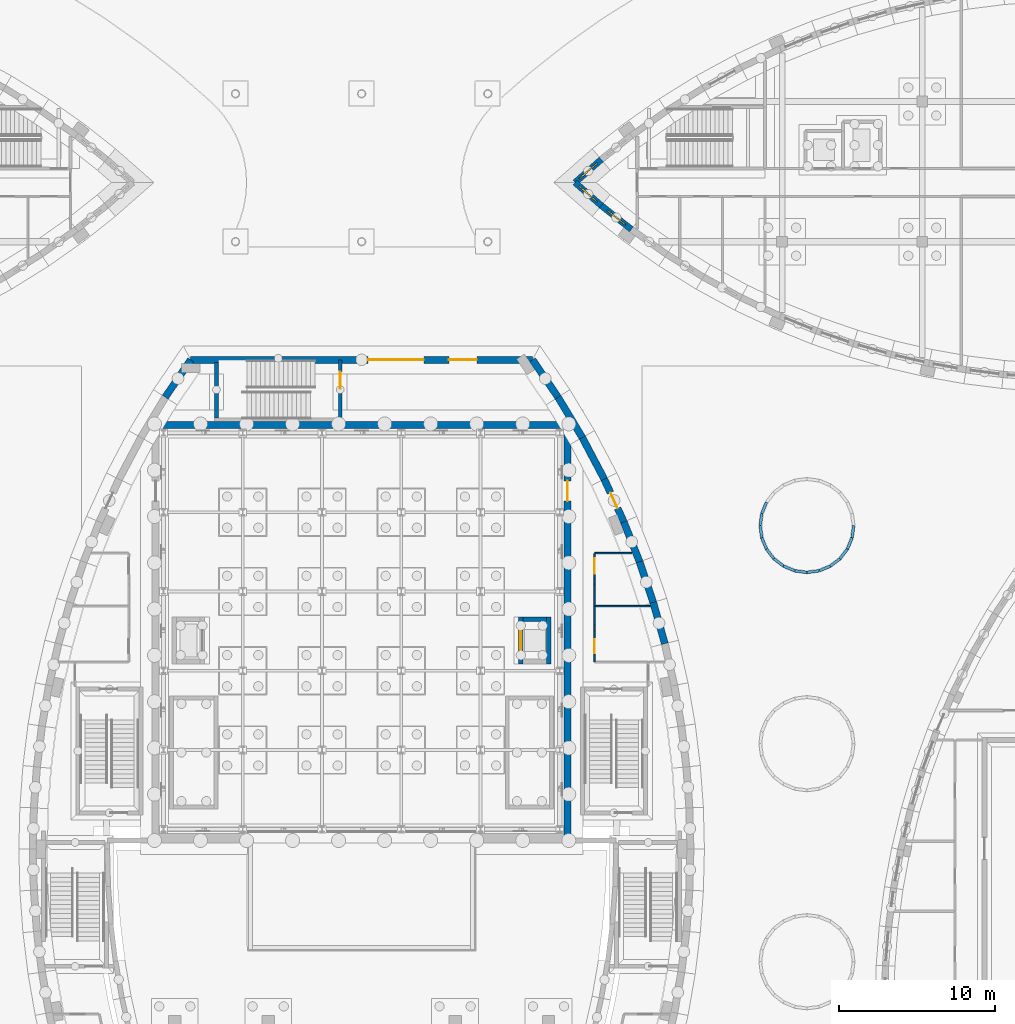
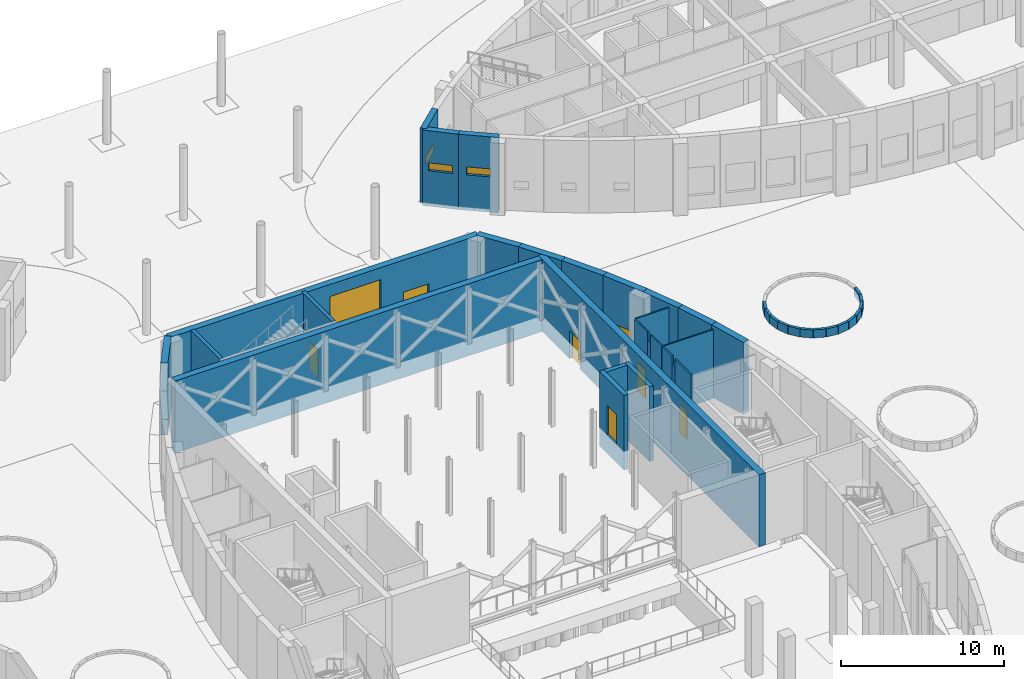
# One storey, part 61 of 82: 41 walls, 8 doors, 3 windows, 11 openings.
"""IFC4 building model written with IfcOpenShell, lengths in metres."""

from ifc_helpers import new_model, si_unit, direction, frame, frame_2d, origin, place, context, subcontext, project, spatial, rectangle, extrude, material, layer, layer_set, type_object, element, fill, save


model = new_model("IFC4")

# Units and contexts
model_context = context("Model", 3, precision=1e-05, world=origin(), true_north=direction((0.0, 1.0)))
body_context = subcontext(model_context, "Body", "Model", "MODEL_VIEW")
ifc_project = project(units=[si_unit("LENGTHUNIT", "METRE"), si_unit("AREAUNIT", "SQUARE_METRE"), si_unit("VOLUMEUNIT", "CUBIC_METRE"), si_unit("PLANEANGLEUNIT", "RADIAN"), si_unit("MASSUNIT", "GRAM", prefix="KILO")], contexts=[model_context])

# Site, building, storey
site_placement = place(None, origin())
site = spatial("IfcSite", under=ifc_project, at=site_placement, CompositionType="ELEMENT")
building_placement = place(site_placement, origin())
building = spatial("IfcBuilding", under=site, at=building_placement, Name="Tide Square Theatres", CompositionType="ELEMENT")
storey_placement = place(building_placement, origin())
storey = spatial("IfcBuildingStorey", under=building, at=storey_placement, Name="L00", CompositionType="ELEMENT", Elevation=0.0)

# Wall, opening, door
ifc_material_1 = material(Name="Gypsum board on steel studs", Category="steel")
ifc_layer_1 = layer(ifc_material_1, 0.10009765625)
ifc_layer_set_1 = layer_set([ifc_layer_1], Name="Gypsum board on steel studs")
wall_type_1 = type_object("IfcWallType", Name="Partition 100 thick", PredefinedType="PARTITIONING", material=ifc_layer_set_1)
wall_1_placement = place(storey_placement, frame((98.949951171875, 67.023193359375, 0.0), z_axis=(0.0, 0.0, 1.0), x_axis=(0.0, 1.0, 0.0)))
wall_1 = element("IfcWall", 1, at=wall_1_placement, inside=storey, type_object=wall_type_1, Name="Partition", PredefinedType="PARTITIONING", context=body_context, shape_type="SweptSolid", body=[
    extrude(rectangle(XDim=1.996826171875, YDim=0.10009765625, at=frame_2d((0.99853515625, 0.0))), origin(), (0.0, 0.0, 1.0), 5.14990234375),
])
opening_1_placement = place(wall_1_placement, frame((0.548583984375, 0.0, 0.0)))
opening_1 = element("IfcOpeningElement", 2, at=opening_1_placement, cuts=wall_1, Name="Opening M00-24", PredefinedType="OPENING", context=body_context, shape_type="SweptSolid", body=[
    extrude(rectangle(XDim=0.89990234375, YDim=2.10009765625, at=frame_2d((0.449951171875, 1.050048828125))), frame((0.0, 0.06005859375, 0.0), z_axis=(0.0, -1.0, 0.0), x_axis=(1.0, 0.0, 0.0)), (0.0, 0.0, 1.0), 0.1201171875),
])
ifc_material_2 = material(Name="Hardwood timber", Category="wood")
door_type_1 = type_object("IfcDoorType", Name="Door 900 x 2100 single leaf", OperationType="NOTDEFINED", PredefinedType="DOOR", material=ifc_material_2)
door_1_placement = place(opening_1_placement, frame((0.89990234375, 0.0, 0.0), z_axis=(0.0, 0.0, 1.0), x_axis=(-1.0, 0.0, 0.0)))
door_1 = element("IfcDoor", 3, at=door_1_placement, inside=storey, type_object=door_type_1, Name="Men's Toilets door", OperationType="SINGLE_SWING_LEFT", OverallHeight=2.10009765625, OverallWidth=0.89990234375, PredefinedType="DOOR", context=body_context, shape_type="SweptSolid", body=[
    extrude(rectangle(XDim=0.89990234375, YDim=2.10009765625, at=frame_2d((0.449951171875, 1.050048828125))), frame((0.0, 0.02490234375, 0.0), z_axis=(0.0, -1.0, 0.0), x_axis=(1.0, 0.0, 0.0)), (0.0, 0.0, 1.0), 0.050048828125),
])
fill(opening_1, door_1)

# Walls
wall_2_placement = place(storey_placement, frame((98.949951171875, 69.02001953125, 0.0), z_axis=(0.0, 0.0, 1.0), x_axis=(0.0, 1.0, 0.0)))
element("IfcWall", 4, at=wall_2_placement, inside=storey, type_object=wall_type_1, Name="Partition", PredefinedType="PARTITIONING", context=body_context, shape_type="SweptSolid", body=[
    extrude(rectangle(XDim=0.35986328125, YDim=0.10009765625, at=frame_2d((0.179931640625, 0.0))), origin(), (0.0, 0.0, 1.0), 4.52001953125),
])
wall_3_placement = place(storey_placement, frame((98.949951171875, 69.3798828125, 0.0), z_axis=(0.0, 0.0, 1.0), x_axis=(0.0, 1.0, 0.0)))
element("IfcWall", 5, at=wall_3_placement, inside=storey, type_object=wall_type_1, Name="Partition", PredefinedType="PARTITIONING", context=body_context, shape_type="SweptSolid", body=[
    extrude(rectangle(XDim=1.197021484375, YDim=0.10009765625, at=frame_2d((0.5986328125, 0.0))), origin(), (0.0, 0.0, 1.0), 5.14990234375),
])
wall_4_placement = place(storey_placement, frame((98.949951171875, 70.623046875, 0.0), z_axis=(0.0, 0.0, 1.0), x_axis=(0.0, 1.0, 0.0)))
element("IfcWall", 6, at=wall_4_placement, inside=storey, type_object=wall_type_1, Name="Partition", PredefinedType="PARTITIONING", context=body_context, shape_type="SweptSolid", body=[
    extrude(rectangle(XDim=1.39697265625, YDim=0.10009765625, at=frame_2d((0.698486328125, 0.0))), origin(), (0.0, 0.0, 1.0), 5.14990234375),
])
wall_5_placement = place(storey_placement, frame((98.949951171875, 72.02001953125, 0.0), z_axis=(0.0, 0.0, 1.0), x_axis=(0.0, 1.0, 0.0)))
element("IfcWall", 7, at=wall_5_placement, inside=storey, type_object=wall_type_1, Name="Partition", PredefinedType="PARTITIONING", context=body_context, shape_type="SweptSolid", body=[
    extrude(rectangle(XDim=0.35986328125, YDim=0.10009765625, at=frame_2d((0.179931640625, 0.0))), origin(), (0.0, 0.0, 1.0), 4.52001953125),
])

# Wall, opening, door
wall_6_placement = place(storey_placement, frame((98.949951171875, 72.3798828125, 0.0), z_axis=(0.0, 0.0, 1.0), x_axis=(0.0, 1.0, 0.0)))
wall_6 = element("IfcWall", 8, at=wall_6_placement, inside=storey, type_object=wall_type_1, Name="Partition", PredefinedType="PARTITIONING", context=body_context, shape_type="SweptSolid", body=[
    extrude(rectangle(XDim=1.596923828125, YDim=0.10009765625, at=frame_2d((0.79833984375, 0.0))), origin(), (0.0, 0.0, 1.0), 5.14990234375),
])
opening_2_placement = place(wall_6_placement, frame((0.29833984375, 0.0, 0.0)))
opening_2 = element("IfcOpeningElement", 9, at=opening_2_placement, cuts=wall_6, Name="Opening M00-26", PredefinedType="OPENING", context=body_context, shape_type="SweptSolid", body=[
    extrude(rectangle(XDim=1.0, YDim=2.10009765625, at=frame_2d((0.5, 1.050048828125))), frame((0.0, 0.06005859375, 0.0), z_axis=(0.0, -1.0, 0.0), x_axis=(1.0, 0.0, 0.0)), (0.0, 0.0, 1.0), 0.1201171875),
])
ifc_material_3 = material(Name="Hardwood timber", Category="wood")
door_type_2 = type_object("IfcDoorType", Name="Door 1000 x 2100 single leaf", OperationType="NOTDEFINED", PredefinedType="DOOR", material=ifc_material_3)
door_2_placement = place(opening_2_placement, frame((1.0, 0.0, 0.0), z_axis=(0.0, 0.0, 1.0), x_axis=(-1.0, 0.0, 0.0)))
door_2 = element("IfcDoor", 10, at=door_2_placement, inside=storey, type_object=door_type_2, Name="Accessible Toilet 02 door", OperationType="SINGLE_SWING_LEFT", OverallHeight=2.10009765625, OverallWidth=1.0, PredefinedType="DOOR", context=body_context, shape_type="SweptSolid", body=[
    extrude(rectangle(XDim=1.0, YDim=2.10009765625, at=frame_2d((0.5, 1.050048828125))), frame((0.0, 0.02490234375, 0.0), z_axis=(0.0, -1.0, 0.0), x_axis=(1.0, 0.0, 0.0)), (0.0, 0.0, 1.0), 0.050048828125),
])
fill(opening_2, door_2)

# Walls
wall_7_placement = place(storey_placement, frame((98.97998046875, 70.60009765625, 0.0), z_axis=(0.0, 0.0, 1.0), x_axis=(1.0, 0.0, 0.0)))
element("IfcWall", 11, at=wall_7_placement, inside=storey, type_object=wall_type_1, Name="Partition", PredefinedType="PARTITIONING", context=body_context, shape_type="SweptSolid", body=[
    extrude(rectangle(XDim=3.537841796875, YDim=0.10009765625, at=frame_2d((1.76904296875, 0.0))), origin(), (0.0, 0.0, 1.0), 5.14990234375),
])
wall_8_placement = place(storey_placement, frame((98.983154296875, 74.0, 0.0), z_axis=(0.0, 0.0, 1.0), x_axis=(1.0, 0.0, 0.0)))
element("IfcWall", 12, at=wall_8_placement, inside=storey, type_object=wall_type_1, Name="Partition", PredefinedType="PARTITIONING", context=body_context, shape_type="SweptSolid", body=[
    extrude(rectangle(XDim=2.36376953125, YDim=0.10009765625, at=frame_2d((1.181884765625, 0.0))), origin(), (0.0, 0.0, 1.0), 5.14990234375),
])

# Wall, opening, window
ifc_material_4 = material(Name="Concrete C40", Category="concrete")
ifc_layer_2 = layer(ifc_material_4, 0.39990234375)
ifc_layer_set_2 = layer_set([ifc_layer_2], Name="Concrete C40")
wall_type_2 = type_object("IfcWallType", Name="RC curved wall 400 thick", PredefinedType="SOLIDWALL", material=ifc_layer_set_2)
wall_9_placement = place(storey_placement, frame((97.703125, 97.800048828125, -0.25), z_axis=(0.0, 0.0, 1.0), x_axis=(0.751212351098, -0.660060605973, 0.0)))
wall_9 = element("IfcWall", 13, at=wall_9_placement, inside=storey, type_object=wall_type_2, Name="Rehearsal Block perimeter wall 000", PredefinedType="SOLIDWALL", context=body_context, shape_type="SweptSolid", body=[
    extrude(rectangle(XDim=2.24169921875, YDim=0.39990234375, at=frame_2d((1.120849609375, 0.0))), origin(), (0.0, 0.0, 1.0), 5.64990234375),
])
opening_3_placement = place(wall_9_placement, frame((0.370849609375, 0.0, 2.64990234375)))
opening_3 = element("IfcOpeningElement", 14, at=opening_3_placement, cuts=wall_9, Name="Opening WN-05", PredefinedType="OPENING", context=body_context, shape_type="SweptSolid", body=[
    extrude(rectangle(XDim=1.5, YDim=0.60009765625, at=frame_2d((0.75, 0.300048828125))), frame((0.0, 0.2099609375, 0.0), z_axis=(0.0, -1.0, 0.0), x_axis=(1.0, 0.0, 0.0)), (0.0, 0.0, 1.0), 0.419921875),
])
ifc_material_5 = material(Name="Aluminium with laminated glass", Category="aluminium")
window_type = type_object("IfcWindowType", Name="Window 1500 x 600", PartitioningType="SINGLE_PANEL", PredefinedType="WINDOW", material=ifc_material_5)
window_1_placement = place(opening_3_placement, origin())
window_1 = element("IfcWindow", 15, at=window_1_placement, inside=storey, type_object=window_type, Name="Rehearsal Block window L00-1", OverallHeight=0.60009765625, OverallWidth=1.5, PartitioningType="SINGLE_PANEL", PredefinedType="WINDOW", context=body_context, shape_type="SweptSolid", body=[
    extrude(rectangle(XDim=1.5, YDim=0.60009765625, at=frame_2d((0.75, 0.300048828125))), frame((0.0, 0.030029296875, 0.0), z_axis=(0.0, -1.0, 0.0), x_axis=(1.0, 0.0, 0.0)), (0.0, 0.0, 1.0), 0.06005859375),
])
fill(opening_3, window_1)

wall_10_placement = place(storey_placement, frame((99.38720703125, 96.3203125, -0.25), z_axis=(0.0, 0.0, 1.0), x_axis=(0.784278812541, -0.620408530082, 0.0)))
wall_10 = element("IfcWall", 16, at=wall_10_placement, inside=storey, type_object=wall_type_2, Name="Rehearsal Block perimeter wall 001", PredefinedType="SOLIDWALL", context=body_context, shape_type="SweptSolid", body=[
    extrude(rectangle(XDim=2.464111328125, YDim=0.39990234375, at=frame_2d((1.23193359375, 0.0))), origin(), (0.0, 0.0, 1.0), 5.64990234375),
])
opening_4_placement = place(wall_10_placement, frame((0.48193359375, 0.0, 2.64990234375)))
opening_4 = element("IfcOpeningElement", 17, at=opening_4_placement, cuts=wall_10, Name="Opening WN-05", PredefinedType="OPENING", context=body_context, shape_type="SweptSolid", body=[
    extrude(rectangle(XDim=1.5, YDim=0.60009765625, at=frame_2d((0.75, 0.300048828125))), frame((0.0, 0.2099609375, 0.0), z_axis=(0.0, -1.0, 0.0), x_axis=(1.0, 0.0, 0.0)), (0.0, 0.0, 1.0), 0.419921875),
])
window_2_placement = place(opening_4_placement, origin())
window_2 = element("IfcWindow", 18, at=window_2_placement, inside=storey, type_object=window_type, Name="Rehearsal Block window L00-2", OverallHeight=0.60009765625, OverallWidth=1.5, PartitioningType="SINGLE_PANEL", PredefinedType="WINDOW", context=body_context, shape_type="SweptSolid", body=[
    extrude(rectangle(XDim=1.5, YDim=0.60009765625, at=frame_2d((0.75, 0.300048828125))), frame((0.0, 0.030029296875, 0.0), z_axis=(0.0, -1.0, 0.0), x_axis=(1.0, 0.0, 0.0)), (0.0, 0.0, 1.0), 0.06005859375),
])
fill(opening_4, window_2)

wall_11_placement = place(storey_placement, frame((99.38720703125, 99.27978515625, -0.25), z_axis=(0.0, 0.0, 1.0), x_axis=(-0.751212351098, -0.660060605973, 0.0)))
wall_11 = element("IfcWall", 19, at=wall_11_placement, inside=storey, type_object=wall_type_2, Name="Rehearsal Block perimeter wall 055", PredefinedType="SOLIDWALL", context=body_context, shape_type="SweptSolid", body=[
    extrude(rectangle(XDim=2.24169921875, YDim=0.39990234375, at=frame_2d((1.120849609375, 0.0))), origin(), (0.0, 0.0, 1.0), 5.64990234375),
])
opening_5_placement = place(wall_11_placement, frame((0.370849609375, 0.0, 2.64990234375)))
opening_5 = element("IfcOpeningElement", 20, at=opening_5_placement, cuts=wall_11, Name="Opening WN-05", PredefinedType="OPENING", context=body_context, shape_type="SweptSolid", body=[
    extrude(rectangle(XDim=1.5, YDim=0.60009765625, at=frame_2d((0.75, 0.300048828125))), frame((0.0, 0.2099609375, 0.0), z_axis=(0.0, -1.0, 0.0), x_axis=(1.0, 0.0, 0.0)), (0.0, 0.0, 1.0), 0.419921875),
])
window_3_placement = place(opening_5_placement, origin())
window_3 = element("IfcWindow", 21, at=window_3_placement, inside=storey, type_object=window_type, Name="Rehearsal Block window L00-43", OverallHeight=0.60009765625, OverallWidth=1.5, PartitioningType="SINGLE_PANEL", PredefinedType="WINDOW", context=body_context, shape_type="SweptSolid", body=[
    extrude(rectangle(XDim=1.5, YDim=0.60009765625, at=frame_2d((0.75, 0.300048828125))), frame((0.0, 0.030029296875, 0.0), z_axis=(0.0, -1.0, 0.0), x_axis=(1.0, 0.0, 0.0)), (0.0, 0.0, 1.0), 0.06005859375),
])
fill(opening_5, window_3)

# Walls
ifc_material_6 = material(Name="Concrete C40", Category="concrete")
ifc_layer_3 = layer(ifc_material_6, 0.449951171875)
ifc_layer_set_3 = layer_set([ifc_layer_3], Name="Concrete C40")
wall_type_3 = type_object("IfcWallType", Name="RC curved wall 450 thick", PredefinedType="SOLIDWALL", material=ifc_layer_set_3)
for number, where, z_axis, x_axis, name in (
    (22, (103.4677734375, 68.18798828125, 0.0), (0.0, 0.0, 1.0), (-0.270008269196, 0.962858003324, 0.0), "Main Theatre perimeter wall"),
    (23, (102.724609375, 70.838134765625, 0.0), (0.0, 0.0, 1.0), (-0.318887614688, 0.947792534893, 0.0), "Main Theatre perimeter wall"),
):
    element("IfcWall", number, at=place(storey_placement, frame(where, z_axis=z_axis, x_axis=x_axis)), inside=storey, type_object=wall_type_3, Name=name, PredefinedType="SOLIDWALL", context=body_context, shape_type="SweptSolid", body=[
        extrude(rectangle(XDim=2.75244140625, YDim=0.449951171875, at=frame_2d((1.376220703125, 0.0))), origin(), (0.0, 0.0, 1.0), 5.39990234375),
    ])
wall_12_placement = place(storey_placement, frame((101.846923828125, 73.44677734375, 0.0), z_axis=(0.0, 0.0, 1.0), x_axis=(-0.366920100653, 0.930252460215, 0.0)))
element("IfcWall", 24, at=wall_12_placement, inside=storey, type_object=wall_type_3, Name="Main Theatre perimeter wall", PredefinedType="SOLIDWALL", context=body_context, shape_type="SweptSolid", body=[
    extrude(rectangle(XDim=2.751953125, YDim=0.449951171875, at=frame_2d((1.3759765625, 0.0))), origin(), (0.0, 0.0, 1.0), 5.39990234375),
])

# Wall, opening, door
wall_13_placement = place(storey_placement, frame((100.837158203125, 76.0068359375, 0.0), z_axis=(0.0, 0.0, 1.0), x_axis=(-0.416407051835, 0.909178292296, 0.0)))
wall_13 = element("IfcWall", 25, at=wall_13_placement, inside=storey, type_object=wall_type_3, Name="Main Theatre perimeter wall", PredefinedType="SOLIDWALL", context=body_context, shape_type="SweptSolid", body=[
    extrude(rectangle(XDim=3.021240234375, YDim=0.449951171875, at=frame_2d((1.5107421875, 0.0))), origin(), (0.0, 0.0, 1.0), 5.39990234375),
])
opening_6_placement = place(wall_13_placement, frame((0.960693359375, 0.0, 0.0)))
opening_6 = element("IfcOpeningElement", 26, at=opening_6_placement, cuts=wall_13, Name="Opening M00-20", PredefinedType="OPENING", context=body_context, shape_type="SweptSolid", body=[
    extrude(rectangle(XDim=1.10009765625, YDim=2.10009765625, at=frame_2d((0.550048828125, 1.050048828125))), frame((0.0, 0.23486328125, 0.0), z_axis=(0.0, -1.0, 0.0), x_axis=(1.0, 0.0, 0.0)), (0.0, 0.0, 1.0), 0.469970703125),
])
ifc_material_7 = material(Name="Painted steel", Category="steel")
door_type_3 = type_object("IfcDoorType", Name="Door 1100 x 2100 single leaf", OperationType="NOTDEFINED", PredefinedType="DOOR", material=ifc_material_7)
door_3_placement = place(opening_6_placement, frame((1.10009765625, 0.0, 0.0), z_axis=(0.0, 0.0, 1.0), x_axis=(-1.0, 0.0, 0.0)))
door_3 = element("IfcDoor", 27, at=door_3_placement, inside=storey, type_object=door_type_3, Name="Backstage corridor exit door", OperationType="SINGLE_SWING_LEFT", OverallHeight=2.10009765625, OverallWidth=1.10009765625, PredefinedType="DOOR", context=body_context, shape_type="SweptSolid", body=[
    extrude(rectangle(XDim=1.10009765625, YDim=2.10009765625, at=frame_2d((0.550048828125, 1.050048828125))), frame((0.0, 0.02490234375, 0.0), z_axis=(0.0, -1.0, 0.0), x_axis=(1.0, 0.0, 0.0)), (0.0, 0.0, 1.0), 0.050048828125),
])
fill(opening_6, door_3)

# Walls
wall_14_placement = place(storey_placement, frame((99.5791015625, 78.753662109375, 0.0), z_axis=(0.0, 0.0, 1.0), x_axis=(-0.466728769487, 0.884400506407, 0.0)))
element("IfcWall", 28, at=wall_14_placement, inside=storey, type_object=wall_type_3, Name="Main Theatre perimeter wall", PredefinedType="SOLIDWALL", context=body_context, shape_type="SweptSolid", body=[
    extrude(rectangle(XDim=3.020751953125, YDim=0.449951171875, at=frame_2d((1.51025390625, 0.0))), origin(), (0.0, 0.0, 1.0), 5.39990234375),
])
wall_15_placement = place(storey_placement, frame((98.169189453125, 81.42529296875, 0.0), z_axis=(0.0, 0.0, 1.0), x_axis=(-0.515636119523, 0.856807675177, 0.0)))
element("IfcWall", 29, at=wall_15_placement, inside=storey, type_object=wall_type_3, Name="Main Theatre perimeter wall", PredefinedType="SOLIDWALL", context=body_context, shape_type="SweptSolid", body=[
    extrude(rectangle(XDim=3.021240234375, YDim=0.449951171875, at=frame_2d((1.5107421875, 0.0))), origin(), (0.0, 0.0, 1.0), 5.39990234375),
])
wall_16_placement = place(storey_placement, frame((96.611328125, 84.013916015625, 0.0), z_axis=(0.0, 0.0, 1.0), x_axis=(-0.5629642644, 0.826481238147, 0.0)))
element("IfcWall", 30, at=wall_16_placement, inside=storey, type_object=wall_type_3, Name="Main Theatre perimeter wall", PredefinedType="SOLIDWALL", context=body_context, shape_type="SweptSolid", body=[
    extrude(rectangle(XDim=2.908203125, YDim=0.449951171875, at=frame_2d((1.4541015625, 0.0))), origin(), (0.0, 0.0, 1.0), 5.39990234375),
])

# Wall, openings, doors
wall_17_placement = place(storey_placement, frame((94.97412109375, 86.41748046875, 0.0), z_axis=(0.0, 0.0, 1.0), x_axis=(-1.0, 0.0, 0.0)))
wall_17 = element("IfcWall", 31, at=wall_17_placement, inside=storey, type_object=wall_type_3, Name="Main Theatre perimeter wall", PredefinedType="SOLIDWALL", context=body_context, shape_type="SweptSolid", body=[
    extrude(rectangle(XDim=21.9482421875, YDim=0.449951171875, at=frame_2d((10.97412109375, 0.0))), origin(), (0.0, 0.0, 1.0), 5.39990234375),
])
opening_7_placement = place(wall_17_placement, frame((6.97412109375, 0.0, 0.0)))
opening_7 = element("IfcOpeningElement", 32, at=opening_7_placement, cuts=wall_17, Name="Opening M00-17", PredefinedType="OPENING", context=body_context, shape_type="SweptSolid", body=[
    extrude(rectangle(XDim=3.60009765625, YDim=4.5, at=frame_2d((1.800048828125, 2.25))), frame((0.0, 0.23486328125, 0.0), z_axis=(0.0, -1.0, 0.0), x_axis=(1.0, 0.0, 0.0)), (0.0, 0.0, 1.0), 0.469970703125),
])
opening_8_placement = place(wall_17_placement, frame((3.573974609375, 0.0, 0.0)))
opening_8 = element("IfcOpeningElement", 33, at=opening_8_placement, cuts=wall_17, Name="Opening M00-18", PredefinedType="OPENING", context=body_context, shape_type="SweptSolid", body=[
    extrude(rectangle(XDim=1.800048828125, YDim=3.0, at=frame_2d((0.89990234375, 1.5))), frame((0.0, 0.23486328125, 0.0), z_axis=(0.0, -1.0, 0.0), x_axis=(1.0, 0.0, 0.0)), (0.0, 0.0, 1.0), 0.469970703125),
])
ifc_material_8 = material(Name="Painted steel", Category="steel")
door_type_4 = type_object("IfcDoorType", Name="Door 1800 x 3000 single leaf", OperationType="NOTDEFINED", PredefinedType="DOOR", material=ifc_material_8)
door_4_placement = place(opening_8_placement, frame((1.800048828125, 0.0, 0.0), z_axis=(0.0, 0.0, 1.0), x_axis=(-1.0, 0.0, 0.0)))
door_4 = element("IfcDoor", 34, at=door_4_placement, inside=storey, type_object=door_type_4, Name="Stage door", OperationType="SINGLE_SWING_LEFT", OverallHeight=3.0, OverallWidth=1.800048828125, PredefinedType="DOOR", context=body_context, shape_type="SweptSolid", body=[
    extrude(rectangle(XDim=1.800048828125, YDim=3.0, at=frame_2d((0.89990234375, 1.5))), frame((0.0, 0.02490234375, 0.0), z_axis=(0.0, -1.0, 0.0), x_axis=(1.0, 0.0, 0.0)), (0.0, 0.0, 1.0), 0.050048828125),
])
fill(opening_8, door_4)
ifc_material_9 = material(Name="Painted steel", Category="steel")
door_type_5 = type_object("IfcDoorType", Name="Door 3600 x 4500 roller shutter", OperationType="ROLLINGUP", PredefinedType="DOOR", material=ifc_material_9)
door_5_placement = place(opening_7_placement, origin())
door_5 = element("IfcDoor", 35, at=door_5_placement, inside=storey, type_object=door_type_5, Name="Scenery dock shutter", OperationType="ROLLINGUP", OverallHeight=4.5, OverallWidth=3.60009765625, PredefinedType="DOOR", context=body_context, shape_type="SweptSolid", body=[
    extrude(rectangle(XDim=3.60009765625, YDim=4.5, at=frame_2d((1.800048828125, 2.25))), frame((0.0, 0.02490234375, 0.0), z_axis=(0.0, -1.0, 0.0), x_axis=(1.0, 0.0, 0.0)), (0.0, 0.0, 1.0), 0.050048828125),
])
fill(opening_7, door_5)

# Wall
wall_18_placement = place(storey_placement, frame((73.02587890625, 86.41748046875, 0.0), z_axis=(0.0, 0.0, 1.0), x_axis=(-0.5629642644, -0.826481238147, 0.0)))
element("IfcWall", 36, at=wall_18_placement, inside=storey, type_object=wall_type_3, Name="Main Theatre perimeter wall", PredefinedType="SOLIDWALL", context=body_context, shape_type="SweptSolid", body=[
    extrude(rectangle(XDim=2.908203125, YDim=0.449951171875, at=frame_2d((1.4541015625, 0.0))), origin(), (0.0, 0.0, 1.0), 5.39990234375),
])

# Wall, opening, door
wall_19_placement = place(storey_placement, frame((97.22509765625, 55.39990234375, 0.0), z_axis=(0.0, 0.0, 1.0), x_axis=(0.0, 1.0, 0.0)))
wall_19 = element("IfcWall", 37, at=wall_19_placement, inside=storey, type_object=wall_type_3, Name="Stage house wall", PredefinedType="SOLIDWALL", context=body_context, shape_type="SweptSolid", body=[
    extrude(rectangle(XDim=27.110107421875, YDim=0.449951171875, at=frame_2d((13.55517578125, 0.0))), origin(), (0.0, 0.0, 1.0), 5.39990234375),
])
opening_9_placement = place(wall_19_placement, frame((21.949951171875, 0.0, 0.0)))
opening_9 = element("IfcOpeningElement", 38, at=opening_9_placement, cuts=wall_19, Name="Opening M00-37", PredefinedType="OPENING", context=body_context, shape_type="SweptSolid", body=[
    extrude(rectangle(XDim=1.300048828125, YDim=2.10009765625, at=frame_2d((0.64990234375, 1.050048828125))), frame((0.0, 0.23486328125, 0.0), z_axis=(0.0, -1.0, 0.0), x_axis=(1.0, 0.0, 0.0)), (0.0, 0.0, 1.0), 0.469970703125),
])
ifc_material_10 = material(Name="Hardwood timber", Category="wood")
door_type_6 = type_object("IfcDoorType", Name="Door 1300 x 2100 double leaf", OperationType="DOUBLE_DOOR_SINGLE_SWING", PredefinedType="DOOR", material=ifc_material_10)
door_6_placement = place(opening_9_placement, origin())
door_6 = element("IfcDoor", 39, at=door_6_placement, inside=storey, type_object=door_type_6, Name="Stage house side door", OperationType="DOUBLE_DOOR_SINGLE_SWING", OverallHeight=2.10009765625, OverallWidth=1.300048828125, PredefinedType="DOOR", context=body_context, shape_type="SweptSolid", body=[
    extrude(rectangle(XDim=1.300048828125, YDim=2.10009765625, at=frame_2d((0.64990234375, 1.050048828125))), frame((0.0, 0.02490234375, 0.0), z_axis=(0.0, -1.0, 0.0), x_axis=(1.0, 0.0, 0.0)), (0.0, 0.0, 1.0), 0.050048828125),
])
fill(opening_9, door_6)

# Walls
wall_20_placement = place(storey_placement, frame((71.0, 82.22509765625, 0.0), z_axis=(0.0, 0.0, 1.0), x_axis=(1.0, 0.0, 0.0)))
element("IfcWall", 40, at=wall_20_placement, inside=storey, type_object=wall_type_3, Name="Stage house rear wall", PredefinedType="SOLIDWALL", context=body_context, shape_type="SweptSolid", body=[
    extrude(rectangle(XDim=26.0, YDim=0.449951171875, at=frame_2d((13.0, 0.0))), origin(), (0.0, 0.0, 1.0), 5.39990234375),
])
ifc_material_11 = material(Name="Concrete C40", Category="concrete")
ifc_layer_4 = layer(ifc_material_11, 0.179931640625)
ifc_layer_set_4 = layer_set([ifc_layer_4], Name="Concrete C40")
wall_type_4 = type_object("IfcWallType", Name="RC parapet 180 thick", PredefinedType="PARAPET", material=ifc_layer_set_4)
wall_21_placement = place(storey_placement, frame((115.593017578125, 75.766845703125, 0.0), z_axis=(0.0, 0.0, 1.0), x_axis=(-0.130591571678, -0.991436251812, 0.0)))
element("IfcWall", 41, at=wall_21_placement, inside=storey, type_object=wall_type_4, Name="Planter wall", PredefinedType="PARAPET", context=body_context, shape_type="SweptSolid", body=[
    extrude(rectangle(XDim=0.783203125, YDim=0.179931640625, at=frame_2d((0.3916015625, 0.0))), origin(), (0.0, 0.0, 1.0), 0.60009765625),
])
wall_22_placement = place(storey_placement, frame((115.49072265625, 74.990234375, 0.0), z_axis=(0.0, 0.0, 1.0), x_axis=(-0.382865774813, -0.923803982713, 0.0)))
element("IfcWall", 42, at=wall_22_placement, inside=storey, type_object=wall_type_4, Name="Planter wall", PredefinedType="PARAPET", context=body_context, shape_type="SweptSolid", body=[
    extrude(rectangle(XDim=0.782958984375, YDim=0.179931640625, at=frame_2d((0.3916015625, 0.0))), origin(), (0.0, 0.0, 1.0), 0.60009765625),
])
wall_23_placement = place(storey_placement, frame((115.19091796875, 74.266845703125, 0.0), z_axis=(0.0, 0.0, 1.0), x_axis=(-0.608791411033, -0.793330333374, 0.0)))
element("IfcWall", 43, at=wall_23_placement, inside=storey, type_object=wall_type_4, Name="Planter wall", PredefinedType="PARAPET", context=body_context, shape_type="SweptSolid", body=[
    extrude(rectangle(XDim=0.783203125, YDim=0.179931640625, at=frame_2d((0.3916015625, 0.0))), origin(), (0.0, 0.0, 1.0), 0.60009765625),
])
wall_24_placement = place(storey_placement, frame((114.714111328125, 73.6455078125, 0.0), z_axis=(0.0, 0.0, 1.0), x_axis=(-0.793214758236, -0.608941990108, 0.0)))
element("IfcWall", 44, at=wall_24_placement, inside=storey, type_object=wall_type_4, Name="Planter wall", PredefinedType="PARAPET", context=body_context, shape_type="SweptSolid", body=[
    extrude(rectangle(XDim=0.782958984375, YDim=0.179931640625, at=frame_2d((0.3916015625, 0.0))), origin(), (0.0, 0.0, 1.0), 0.60009765625),
])
wall_25_placement = place(storey_placement, frame((114.093017578125, 73.168701171875, 0.0), z_axis=(0.0, 0.0, 1.0), x_axis=(-0.923849665613, -0.382755529478, 0.0)))
element("IfcWall", 45, at=wall_25_placement, inside=storey, type_object=wall_type_4, Name="Planter wall", PredefinedType="PARAPET", context=body_context, shape_type="SweptSolid", body=[
    extrude(rectangle(XDim=0.783203125, YDim=0.179931640625, at=frame_2d((0.3916015625, 0.0))), origin(), (0.0, 0.0, 1.0), 0.60009765625),
])
wall_26_placement = place(storey_placement, frame((113.369384765625, 72.868896484375, 0.0), z_axis=(0.0, 0.0, 1.0), x_axis=(-0.9914712665, -0.130325468364, 0.0)))
element("IfcWall", 46, at=wall_26_placement, inside=storey, type_object=wall_type_4, Name="Planter wall", PredefinedType="PARAPET", context=body_context, shape_type="SweptSolid", body=[
    extrude(rectangle(XDim=0.782958984375, YDim=0.179931640625, at=frame_2d((0.3916015625, 0.0))), origin(), (0.0, 0.0, 1.0), 0.60009765625),
])
wall_27_placement = place(storey_placement, frame((112.593017578125, 72.766845703125, 0.0), z_axis=(0.0, 0.0, 1.0), x_axis=(-0.991476559602, 0.130285193937, 0.0)))
element("IfcWall", 47, at=wall_27_placement, inside=storey, type_object=wall_type_4, Name="Planter wall", PredefinedType="PARAPET", context=body_context, shape_type="SweptSolid", body=[
    extrude(rectangle(XDim=0.783203125, YDim=0.179931640625, at=frame_2d((0.3916015625, 0.0))), origin(), (0.0, 0.0, 1.0), 0.60009765625),
])
wall_28_placement = place(storey_placement, frame((111.81640625, 72.868896484375, 0.0), z_axis=(0.0, 0.0, 1.0), x_axis=(-0.923803982713, 0.382865774813, 0.0)))
element("IfcWall", 48, at=wall_28_placement, inside=storey, type_object=wall_type_4, Name="Planter wall", PredefinedType="PARAPET", context=body_context, shape_type="SweptSolid", body=[
    extrude(rectangle(XDim=0.782958984375, YDim=0.179931640625, at=frame_2d((0.3916015625, 0.0))), origin(), (0.0, 0.0, 1.0), 0.60009765625),
])
for number, where, z_axis, x_axis, name in (
    (49, (111.093017578125, 73.168701171875, 0.0), (0.0, 0.0, 1.0), (-0.793330333374, 0.608791411033, 0.0), "Planter wall"),
    (50, (110.4716796875, 73.6455078125, 0.0), (0.0, 0.0, 1.0), (-0.608791411033, 0.793330333374, 0.0), "Planter wall"),
):
    element("IfcWall", number, at=place(storey_placement, frame(where, z_axis=z_axis, x_axis=x_axis)), inside=storey, type_object=wall_type_4, Name=name, PredefinedType="PARAPET", context=body_context, shape_type="SweptSolid", body=[
        extrude(rectangle(XDim=0.783203125, YDim=0.179931640625, at=frame_2d((0.3916015625, 0.0))), origin(), (0.0, 0.0, 1.0), 0.60009765625),
    ])
wall_29_placement = place(storey_placement, frame((109.994873046875, 74.266845703125, 0.0), z_axis=(0.0, 0.0, 1.0), x_axis=(-0.382865774813, 0.923803982713, 0.0)))
element("IfcWall", 51, at=wall_29_placement, inside=storey, type_object=wall_type_4, Name="Planter wall", PredefinedType="PARAPET", context=body_context, shape_type="SweptSolid", body=[
    extrude(rectangle(XDim=0.782958984375, YDim=0.179931640625, at=frame_2d((0.3916015625, 0.0))), origin(), (0.0, 0.0, 1.0), 0.60009765625),
])
wall_30_placement = place(storey_placement, frame((109.695068359375, 74.990234375, 0.0), z_axis=(0.0, 0.0, 1.0), x_axis=(-0.130285193937, 0.991476559602, 0.0)))
element("IfcWall", 52, at=wall_30_placement, inside=storey, type_object=wall_type_4, Name="Planter wall", PredefinedType="PARAPET", context=body_context, shape_type="SweptSolid", body=[
    extrude(rectangle(XDim=0.783203125, YDim=0.179931640625, at=frame_2d((0.3916015625, 0.0))), origin(), (0.0, 0.0, 1.0), 0.60009765625),
])
wall_31_placement = place(storey_placement, frame((109.593017578125, 75.766845703125, 0.0), z_axis=(0.0, 0.0, 1.0), x_axis=(0.130325468364, 0.9914712665, 0.0)))
element("IfcWall", 53, at=wall_31_placement, inside=storey, type_object=wall_type_4, Name="Planter wall", PredefinedType="PARAPET", context=body_context, shape_type="SweptSolid", body=[
    extrude(rectangle(XDim=0.782958984375, YDim=0.179931640625, at=frame_2d((0.3916015625, 0.0))), origin(), (0.0, 0.0, 1.0), 0.60009765625),
])
wall_32_placement = place(storey_placement, frame((109.695068359375, 76.543212890625, 0.0), z_axis=(0.0, 0.0, 1.0), x_axis=(0.382755529478, 0.923849665613, 0.0)))
element("IfcWall", 54, at=wall_32_placement, inside=storey, type_object=wall_type_4, Name="Planter wall", PredefinedType="PARAPET", context=body_context, shape_type="SweptSolid", body=[
    extrude(rectangle(XDim=0.783203125, YDim=0.179931640625, at=frame_2d((0.3916015625, 0.0))), origin(), (0.0, 0.0, 1.0), 0.60009765625),
])
ifc_material_12 = material(Name="Concrete C40", Category="concrete")
ifc_layer_5 = layer(ifc_material_12, 0.25)
ifc_layer_set_5 = layer_set([ifc_layer_5], Name="Concrete C40")
wall_type_5 = type_object("IfcWallType", Name="RC shear wall 250 thick", PredefinedType="SHEAR", material=ifc_layer_set_5)
wall_33_placement = place(storey_placement, frame((74.675048828125, 82.68994140625, 0.0), z_axis=(0.0, 0.0, 1.0), x_axis=(0.0, 1.0, 0.0)))
element("IfcWall", 55, at=wall_33_placement, inside=storey, type_object=wall_type_5, Name="Main Theatre North Stair shaft wall", PredefinedType="SHEAR", context=body_context, shape_type="SweptSolid", body=[
    extrude(rectangle(XDim=3.550048828125, YDim=0.25, at=frame_2d((1.77490234375, 0.0))), origin(), (0.0, 0.0, 1.0), 5.39990234375),
])

# Wall, opening, door
wall_34_placement = place(storey_placement, frame((82.625, 86.39990234375, 0.0), z_axis=(0.0, 0.0, 1.0), x_axis=(0.0, -1.0, 0.0)))
wall_34 = element("IfcWall", 56, at=wall_34_placement, inside=storey, type_object=wall_type_5, Name="Main Theatre North Stair shaft wall", PredefinedType="SHEAR", context=body_context, shape_type="SweptSolid", body=[
    extrude(rectangle(XDim=3.7099609375, YDim=0.25, at=frame_2d((1.85498046875, 0.0))), origin(), (0.0, 0.0, 1.0), 5.39990234375),
])
opening_10_placement = place(wall_34_placement, frame((0.75, 0.0, 0.0)))
opening_10 = element("IfcOpeningElement", 57, at=opening_10_placement, cuts=wall_34, Name="Opening M00-07", PredefinedType="OPENING", context=body_context, shape_type="SweptSolid", body=[
    extrude(rectangle(XDim=1.10009765625, YDim=2.10009765625, at=frame_2d((0.550048828125, 1.050048828125))), frame((0.0, 0.135009765625, 0.0), z_axis=(0.0, -1.0, 0.0), x_axis=(1.0, 0.0, 0.0)), (0.0, 0.0, 1.0), 0.27001953125),
])
door_7_placement = place(opening_10_placement, origin())
door_7 = element("IfcDoor", 58, at=door_7_placement, inside=storey, type_object=door_type_3, Name="Main Theatre North Stair stair door", OperationType="SINGLE_SWING_RIGHT", OverallHeight=2.10009765625, OverallWidth=1.10009765625, PredefinedType="DOOR", context=body_context, shape_type="SweptSolid", body=[
    extrude(rectangle(XDim=1.10009765625, YDim=2.10009765625, at=frame_2d((0.550048828125, 1.050048828125))), frame((0.0, 0.02490234375, 0.0), z_axis=(0.0, -1.0, 0.0), x_axis=(1.0, 0.0, 0.0)), (0.0, 0.0, 1.0), 0.050048828125),
])
fill(opening_10, door_7)

# Wall
ifc_material_13 = material(Name="Concrete C40", Category="concrete")
ifc_layer_6 = layer(ifc_material_13, 0.300048828125)
ifc_layer_set_6 = layer_set([ifc_layer_6], Name="Concrete C40")
wall_type_6 = type_object("IfcWallType", Name="RC shear wall 300 thick", PredefinedType="SHEAR", material=ifc_layer_set_6)
wall_35_placement = place(storey_placement, frame((95.8740234375, 69.75, -0.199951171875), z_axis=(0.0, 0.0, 1.0), x_axis=(-1.0, 0.0, 0.0)))
element("IfcWall", 59, at=wall_35_placement, inside=storey, type_object=wall_type_6, Name="Fly Tower lift 12 shaft wall", PredefinedType="SHEAR", context=body_context, shape_type="SweptSolid", body=[
    extrude(rectangle(XDim=1.5, YDim=0.300048828125, at=frame_2d((0.75, 0.0))), origin(), (0.0, 0.0, 1.0), 5.599853515625),
])

# Wall, opening, door
wall_36_placement = place(storey_placement, frame((94.22412109375, 66.89990234375, -0.199951171875), z_axis=(0.0, 0.0, 1.0), x_axis=(0.0, 1.0, 0.0)))
wall_36 = element("IfcWall", 60, at=wall_36_placement, inside=storey, type_object=wall_type_6, Name="Fly Tower lift 12 shaft wall", PredefinedType="SHEAR", context=body_context, shape_type="SweptSolid", body=[
    extrude(rectangle(XDim=3.0, YDim=0.300048828125, at=frame_2d((1.5, 0.0))), origin(), (0.0, 0.0, 1.0), 5.599853515625),
])
opening_11_placement = place(wall_36_placement, frame((0.89990234375, 0.0, 1.39990234375)))
opening_11 = element("IfcOpeningElement", 61, at=opening_11_placement, cuts=wall_36, Name="Opening LD-T12-0", PredefinedType="OPENING", context=body_context, shape_type="SweptSolid", body=[
    extrude(rectangle(XDim=1.199951171875, YDim=2.199951171875, at=frame_2d((0.60009765625, 1.10009765625))), frame((0.0, 0.159912109375, 0.0), z_axis=(0.0, -1.0, 0.0), x_axis=(1.0, 0.0, 0.0)), (0.0, 0.0, 1.0), 0.320068359375),
])
ifc_material_14 = material(Name="Painted steel", Category="steel")
door_type_7 = type_object("IfcDoorType", Name="Door 1200 x 2200 sliding", OperationType="SLIDING_TO_LEFT", PredefinedType="DOOR", material=ifc_material_14)
door_8_placement = place(opening_11_placement, origin())
door_8 = element("IfcDoor", 62, at=door_8_placement, inside=storey, type_object=door_type_7, Name="Fly Tower Passenger lift 800 kg landing door L00", OperationType="SLIDING_TO_LEFT", OverallHeight=2.199951171875, OverallWidth=1.199951171875, PredefinedType="DOOR", context=body_context, shape_type="SweptSolid", body=[
    extrude(rectangle(XDim=1.199951171875, YDim=2.199951171875, at=frame_2d((0.60009765625, 1.10009765625))), frame((0.0, 0.02490234375, 0.0), z_axis=(0.0, -1.0, 0.0), x_axis=(1.0, 0.0, 0.0)), (0.0, 0.0, 1.0), 0.050048828125),
])
fill(opening_11, door_8)

# Wall
wall_37_placement = place(storey_placement, frame((96.02392578125, 66.89990234375, -0.199951171875), z_axis=(0.0, 0.0, 1.0), x_axis=(0.0, 1.0, 0.0)))
element("IfcWall", 63, at=wall_37_placement, inside=storey, type_object=wall_type_6, Name="Fly Tower lift 12 shaft wall", PredefinedType="SHEAR", context=body_context, shape_type="SweptSolid", body=[
    extrude(rectangle(XDim=3.0, YDim=0.300048828125, at=frame_2d((1.5, 0.0))), origin(), (0.0, 0.0, 1.0), 5.599853515625),
])

save(model, "model.ifc")
